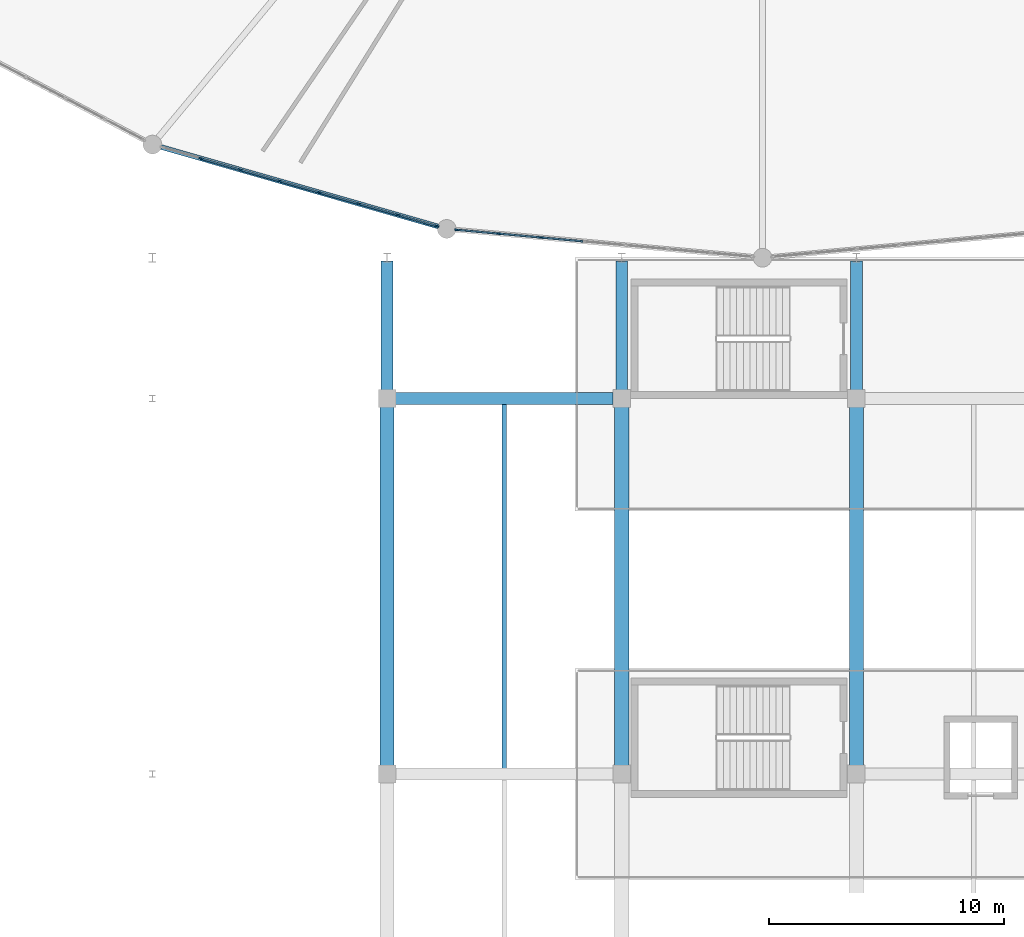
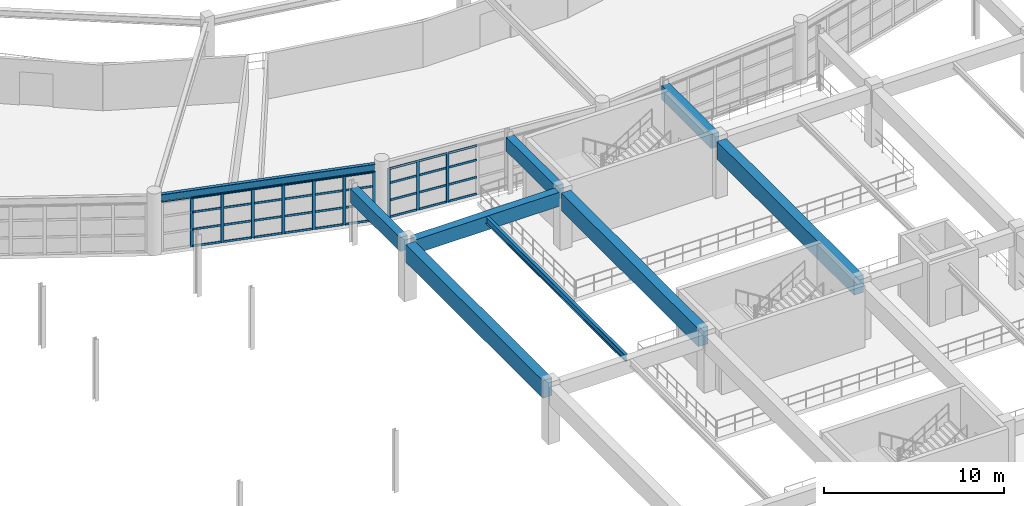
# One storey, part 25 of 100: 46 members, 9 beams, 2 elements without a shape of their own.
"""IFC4 building model written with IfcOpenShell, lengths in metres."""

from ifc_helpers import new_model, si_unit, direction, frame, origin, origin_2d, place, context, subcontext, project, spatial, rectangle, i_section, extrude, material, layer, layer_set, material_profile, profile_set, type_object, element, aggregate, save


model = new_model("IFC4")

# Units and contexts
model_context = context("Model", 3, precision=1e-05, world=origin(), true_north=direction((0.0, 1.0)))
body_context = subcontext(model_context, "Body", "Model", "MODEL_VIEW")
ifc_project = project(units=[si_unit("LENGTHUNIT", "METRE"), si_unit("AREAUNIT", "SQUARE_METRE"), si_unit("VOLUMEUNIT", "CUBIC_METRE"), si_unit("PLANEANGLEUNIT", "RADIAN"), si_unit("MASSUNIT", "GRAM", prefix="KILO")], contexts=[model_context])

# Site, building, storey
site_placement = place(None, origin())
site = spatial("IfcSite", under=ifc_project, at=site_placement, CompositionType="ELEMENT")
building_placement = place(site_placement, origin())
building = spatial("IfcBuilding", under=site, at=building_placement, Name="Kivolera Central Railway Station", CompositionType="ELEMENT")
storey_placement = place(building_placement, frame((0.0, 0.0, 5.39990234375)))
storey = spatial("IfcBuildingStorey", under=building, at=storey_placement, Name="L01", CompositionType="ELEMENT", Elevation=5.39990234375)

# Beams
ifc_material_1 = material(Name="Steel S355", Category="steel")
ifc_material_profile_1 = material_profile(ifc_material_1, i_section(OverallWidth=0.18994140625, OverallDepth=0.449951171875, WebThickness=0.009521484375, FlangeThickness=0.0146484375, FilletRadius=0.02099609375, at=origin_2d()), Name="IPE 450")
ifc_profile_set_1 = profile_set([ifc_material_profile_1], Name="Steel S355")
beam_type_1 = type_object("IfcBeamType", Name="BM-JST-IPE450", PredefinedType="JOIST", material=ifc_profile_set_1)
beam_1_placement = place(storey_placement, frame((53.0, 32.241943359375, 3.64306640625), z_axis=(0.0, 1.0, 0.0), x_axis=(-1.0, 0.0, 0.0)))
element("IfcBeam", 1, at=beam_1_placement, inside=storey, type_object=beam_type_1, Name="L01 Over-Track Bridge Joist 5:C-D", PredefinedType="JOIST", context=body_context, shape_type="SweptSolid", body=[
    extrude(i_section(OverallWidth=0.18994140625, OverallDepth=0.449951171875, WebThickness=0.009521484375, FlangeThickness=0.0146484375, FilletRadius=0.02099609375, at=origin_2d()), origin(), (0.0, 0.0, 1.0), 15.51611328125),
])
ifc_material_2 = material(Name="Concrete C40/50", Category="concrete")
ifc_material_profile_2 = material_profile(ifc_material_2, rectangle(XDim=0.5, YDim=0.949951171875, at=origin_2d()), Name="RC 500x950")
ifc_profile_set_2 = profile_set([ifc_material_profile_2], Name="Concrete C40/50")
beam_type_2 = type_object("IfcBeamType", Name="BM-RC-500x950", PredefinedType="BEAM", material=ifc_profile_set_2)
for number, where, z_axis, x_axis, name in (
    (2, (48.0, 48.362060546875, 3.405029296875), (0.0, 1.0, 0.0), (-1.0, 0.0, 0.0), "Over-Track Concourse Threshold Girder 5:D-E"),
    (3, (58.0, 48.362060546875, 3.405029296875), (0.0, 1.0, 0.0), (-1.0, 0.0, 0.0), "Over-Track Concourse Threshold Girder 6:D-E"),
    (4, (68.0, 48.362060546875, 3.405029296875), (0.0, 1.0, 0.0), (-1.0, 0.0, 0.0), "Over-Track Concourse Threshold Girder 7:D-E"),
):
    element("IfcBeam", number, at=place(storey_placement, frame(where, z_axis=z_axis, x_axis=x_axis)), inside=storey, type_object=beam_type_2, Name=name, PredefinedType="BEAM", context=body_context, shape_type="SweptSolid", body=[
        extrude(rectangle(XDim=0.5, YDim=0.949951171875, at=origin_2d()), origin(), (0.0, 0.0, 1.0), 5.498046875),
    ])
beam_2_placement = place(storey_placement, frame((48.362060546875, 48.0, 3.405029296875), z_axis=(1.0, 0.0, 0.0), x_axis=(0.0, 1.0, 0.0)))
element("IfcBeam", 5, at=beam_2_placement, inside=storey, type_object=beam_type_2, Name="L01 Over-Track Bridge Transverse Girder D:5-6", PredefinedType="BEAM", context=body_context, shape_type="SweptSolid", body=[
    extrude(rectangle(XDim=0.5, YDim=0.949951171875, at=origin_2d()), origin(), (0.0, 0.0, 1.0), 9.27587890625),
])
ifc_material_profile_3 = material_profile(ifc_material_2, rectangle(XDim=0.60009765625, YDim=1.199951171875, at=origin_2d()), Name="RC 600x1200")
ifc_profile_set_3 = profile_set([ifc_material_profile_3], Name="Concrete C40/50")
beam_type_3 = type_object("IfcBeamType", Name="BM-RC-600x1200", PredefinedType="BEAM", material=ifc_profile_set_3)
for number, where, z_axis, x_axis, name in (
    (6, (48.0, 32.362060546875, 3.280029296875), (0.0, 1.0, 0.0), (-1.0, 0.0, 0.0), "L01 Over-Track Concourse Bridge Girder 5:C-D"),
    (7, (58.0, 32.362060546875, 3.280029296875), (0.0, 1.0, 0.0), (-1.0, 0.0, 0.0), "L01 Over-Track Concourse Bridge Girder 6:C-D"),
    (8, (68.0, 32.362060546875, 3.280029296875), (0.0, 1.0, 0.0), (-1.0, 0.0, 0.0), "L01 Over-Track Concourse Bridge Girder 7:C-D"),
):
    element("IfcBeam", number, at=place(storey_placement, frame(where, z_axis=z_axis, x_axis=x_axis)), inside=storey, type_object=beam_type_3, Name=name, PredefinedType="BEAM", context=body_context, shape_type="SweptSolid", body=[
        extrude(rectangle(XDim=0.60009765625, YDim=1.199951171875, at=origin_2d()), origin(), (0.0, 0.0, 1.0), 15.27587890625),
    ])
ifc_material_profile_4 = material_profile(ifc_material_1, i_section(OverallWidth=0.209228515625, OverallDepth=0.533203125, WebThickness=0.010009765625, FlangeThickness=0.015625, FilletRadius=0.0126953125, at=origin_2d()), Name="UB 533x210x92")
ifc_profile_set_4 = profile_set([ifc_material_profile_4], Name="Steel S355")
beam_type_4 = type_object("IfcBeamType", Name="BM-SHD-UB533", PredefinedType="BEAM", material=ifc_profile_set_4)
beam_3_placement = place(storey_placement, frame((38.375, 58.716064453125, 3.611083984375), z_axis=(0.961238780007, -0.275717260631, 0.0), x_axis=(0.275717260631, 0.961238780007, 0.0)))
element("IfcBeam", 9, at=beam_3_placement, inside=storey, type_object=beam_type_4, Name="L01 Oval Perimeter Ring Beam 17", PredefinedType="BEAM", context=body_context, shape_type="SweptSolid", body=[
    extrude(i_section(OverallWidth=0.209228515625, OverallDepth=0.533203125, WebThickness=0.010009765625, FlangeThickness=0.015625, FilletRadius=0.0126953125, at=origin_2d()), origin(), (0.0, 0.0, 1.0), 12.266357421875),
])

# Curtain wall, members
ifc_material_3 = material(Name="Anodised aluminium", Category="aluminium")
ifc_layer_1 = layer(ifc_material_3, 0.179931640625, Name="Anodised aluminium")
ifc_layer_set_1 = layer_set([ifc_layer_1], Name="Anodised aluminium")
curtain_wall_type_1 = type_object("IfcCurtainWallType", Name="CW-SYS-10", PredefinedType="NOTDEFINED", material=ifc_layer_set_1)
curtain_wall_1_placement = place(storey_placement, origin())
curtain_wall_1 = element("IfcCurtainWall", 10, at=curtain_wall_1_placement, inside=storey, type_object=curtain_wall_type_1, Name="L01 Curtain Wall CW-L01-OVL-16", PredefinedType="NOTDEFINED")
ifc_material_profile_5 = material_profile(ifc_material_3, rectangle(XDim=0.070068359375, YDim=0.179931640625, at=origin_2d()), Name="ALU MULL 70x180")
ifc_profile_set_5 = profile_set([ifc_material_profile_5], Name="Anodised aluminium")
member_type_1 = type_object("IfcMemberType", Name="CWM-MUL-1", PredefinedType="MULLION", material=ifc_profile_set_5)
member_1_placement = place(storey_placement, frame((50.122314453125, 55.3466796875, -0.0048828125), z_axis=(0.0, 0.0, 1.0), x_axis=(-0.27569168989, -0.961246114232, 0.0)))
member_1 = element("IfcMember", 11, at=member_1_placement, type_object=member_type_1, Name="CW-10 mullion 1", PredefinedType="MULLION", context=body_context, shape_type="SweptSolid", body=[
    extrude(rectangle(XDim=0.070068359375, YDim=0.179931640625, at=origin_2d()), origin(), (0.0, 0.0, 1.0), 3.344970703125),
])
member_2_placement = place(storey_placement, frame((48.474365234375, 55.8193359375, -0.0048828125), z_axis=(0.0, 0.0, 1.0), x_axis=(-0.27569168989, -0.961246114232, 0.0)))
member_2 = element("IfcMember", 12, at=member_2_placement, type_object=member_type_1, Name="CW-10 mullion 2", PredefinedType="MULLION", context=body_context, shape_type="SweptSolid", body=[
    extrude(rectangle(XDim=0.070068359375, YDim=0.179931640625, at=origin_2d()), origin(), (0.0, 0.0, 1.0), 3.344970703125),
])
member_3_placement = place(storey_placement, frame((46.79296875, 56.301513671875, -0.0048828125), z_axis=(0.0, 0.0, 1.0), x_axis=(-0.27569168989, -0.961246114232, 0.0)))
member_3 = element("IfcMember", 13, at=member_3_placement, type_object=member_type_1, Name="CW-10 mullion 3", PredefinedType="MULLION", context=body_context, shape_type="SweptSolid", body=[
    extrude(rectangle(XDim=0.070068359375, YDim=0.179931640625, at=origin_2d()), origin(), (0.0, 0.0, 1.0), 3.344970703125),
])
member_4_placement = place(storey_placement, frame((45.111328125, 56.783935546875, -0.0048828125), z_axis=(0.0, 0.0, 1.0), x_axis=(-0.27569168989, -0.961246114232, 0.0)))
member_4 = element("IfcMember", 14, at=member_4_placement, type_object=member_type_1, Name="CW-10 mullion 4", PredefinedType="MULLION", context=body_context, shape_type="SweptSolid", body=[
    extrude(rectangle(XDim=0.070068359375, YDim=0.179931640625, at=origin_2d()), origin(), (0.0, 0.0, 1.0), 3.344970703125),
])
member_5_placement = place(storey_placement, frame((43.4296875, 57.26611328125, -0.0048828125), z_axis=(0.0, 0.0, 1.0), x_axis=(-0.27569168989, -0.961246114232, 0.0)))
member_5 = element("IfcMember", 15, at=member_5_placement, type_object=member_type_1, Name="CW-10 mullion 5", PredefinedType="MULLION", context=body_context, shape_type="SweptSolid", body=[
    extrude(rectangle(XDim=0.070068359375, YDim=0.179931640625, at=origin_2d()), origin(), (0.0, 0.0, 1.0), 3.344970703125),
])
member_6_placement = place(storey_placement, frame((41.748046875, 57.74853515625, -0.0048828125), z_axis=(0.0, 0.0, 1.0), x_axis=(-0.27569168989, -0.961246114232, 0.0)))
member_6 = element("IfcMember", 16, at=member_6_placement, type_object=member_type_1, Name="CW-10 mullion 6", PredefinedType="MULLION", context=body_context, shape_type="SweptSolid", body=[
    extrude(rectangle(XDim=0.070068359375, YDim=0.179931640625, at=origin_2d()), origin(), (0.0, 0.0, 1.0), 3.344970703125),
])
member_7_placement = place(storey_placement, frame((40.066650390625, 58.230712890625, -0.0048828125), z_axis=(0.0, 0.0, 1.0), x_axis=(-0.27569168989, -0.961246114232, 0.0)))
member_7 = element("IfcMember", 17, at=member_7_placement, type_object=member_type_1, Name="CW-10 mullion 7", PredefinedType="MULLION", context=body_context, shape_type="SweptSolid", body=[
    extrude(rectangle(XDim=0.070068359375, YDim=0.179931640625, at=origin_2d()), origin(), (0.0, 0.0, 1.0), 3.344970703125),
])

ifc_layer_2 = layer(ifc_material_3, 0.179931640625, Name="Anodised aluminium")
ifc_layer_set_2 = layer_set([ifc_layer_2], Name="Anodised aluminium")
curtain_wall_type_2 = type_object("IfcCurtainWallType", Name="CW-SYS-12", PredefinedType="NOTDEFINED", material=ifc_layer_set_2)
curtain_wall_2_placement = place(storey_placement, origin())
curtain_wall_2 = element("IfcCurtainWall", 18, at=curtain_wall_2_placement, inside=storey, type_object=curtain_wall_type_2, Name="L01 Curtain Wall CW-L01-OVL-17", PredefinedType="NOTDEFINED")
member_8_placement = place(storey_placement, frame((54.556884765625, 54.861083984375, -0.0048828125), z_axis=(0.0, 0.0, 1.0), x_axis=(-0.090833556942, -0.995866087852, 0.0)))
member_8 = element("IfcMember", 19, at=member_8_placement, type_object=member_type_1, Name="CW-12 mullion 6", PredefinedType="MULLION", context=body_context, shape_type="SweptSolid", body=[
    extrude(rectangle(XDim=0.070068359375, YDim=0.179931640625, at=origin_2d()), origin(), (0.0, 0.0, 1.0), 3.344970703125),
])
member_9_placement = place(storey_placement, frame((52.748046875, 55.02587890625, -0.0048828125), z_axis=(0.0, 0.0, 1.0), x_axis=(-0.090833556942, -0.995866087852, 0.0)))
member_9 = element("IfcMember", 20, at=member_9_placement, type_object=member_type_1, Name="CW-12 mullion 7", PredefinedType="MULLION", context=body_context, shape_type="SweptSolid", body=[
    extrude(rectangle(XDim=0.070068359375, YDim=0.179931640625, at=origin_2d()), origin(), (0.0, 0.0, 1.0), 3.344970703125),
])
member_10_placement = place(storey_placement, frame((50.973876953125, 55.187744140625, -0.0048828125), z_axis=(0.0, 0.0, 1.0), x_axis=(-0.090833556942, -0.995866087852, 0.0)))
member_10 = element("IfcMember", 21, at=member_10_placement, type_object=member_type_1, Name="CW-12 mullion 8", PredefinedType="MULLION", context=body_context, shape_type="SweptSolid", body=[
    extrude(rectangle(XDim=0.070068359375, YDim=0.179931640625, at=origin_2d()), origin(), (0.0, 0.0, 1.0), 3.344970703125),
])

# Member
ifc_material_profile_6 = material_profile(ifc_material_3, rectangle(XDim=0.070068359375, YDim=0.139892578125, at=origin_2d()), Name="ALU TRAN 70x140")
ifc_profile_set_6 = profile_set([ifc_material_profile_6], Name="Anodised aluminium")
member_type_2 = type_object("IfcMemberType", Name="CWM-TRN-1", PredefinedType="USERDEFINED", material=ifc_profile_set_6)
member_11_placement = place(storey_placement, frame((50.088623046875, 55.356201171875, 0.03515625), z_axis=(-0.961237680042, 0.275721095434, 0.0), x_axis=(-0.275721095434, -0.961237680042, 0.0)))
member_11 = element("IfcMember", 22, at=member_11_placement, type_object=member_type_2, Name="CW-10 transom 1.1", ObjectType="TRANSOM", PredefinedType="USERDEFINED", context=body_context, shape_type="SweptSolid", body=[
    extrude(rectangle(XDim=0.070068359375, YDim=0.139892578125, at=origin_2d()), origin(), (0.0, 0.0, 1.0), 1.644287109375),
])

member_12_placement = place(storey_placement, frame((50.088623046875, 55.356201171875, 1.169189453125), z_axis=(-0.961237680042, 0.275721095434, 0.0), x_axis=(-0.275721095434, -0.961237680042, 0.0)))
member_12 = element("IfcMember", 23, at=member_12_placement, type_object=member_type_2, Name="CW-10 transom 1.2", ObjectType="TRANSOM", PredefinedType="USERDEFINED", context=body_context, shape_type="SweptSolid", body=[
    extrude(rectangle(XDim=0.070068359375, YDim=0.139892578125, at=origin_2d()), origin(), (0.0, 0.0, 1.0), 1.644287109375),
])

member_13_placement = place(storey_placement, frame((50.088623046875, 55.356201171875, 2.338134765625), z_axis=(-0.961237680042, 0.275721095434, 0.0), x_axis=(-0.275721095434, -0.961237680042, 0.0)))
member_13 = element("IfcMember", 24, at=member_13_placement, type_object=member_type_2, Name="CW-10 transom 1.3", ObjectType="TRANSOM", PredefinedType="USERDEFINED", context=body_context, shape_type="SweptSolid", body=[
    extrude(rectangle(XDim=0.070068359375, YDim=0.139892578125, at=origin_2d()), origin(), (0.0, 0.0, 1.0), 1.644287109375),
])

member_14_placement = place(storey_placement, frame((50.088623046875, 55.356201171875, 3.30517578125), z_axis=(-0.961237680042, 0.275721095434, 0.0), x_axis=(-0.275721095434, -0.961237680042, 0.0)))
member_14 = element("IfcMember", 25, at=member_14_placement, type_object=member_type_2, Name="CW-10 transom 1.4", ObjectType="TRANSOM", PredefinedType="USERDEFINED", context=body_context, shape_type="SweptSolid", body=[
    extrude(rectangle(XDim=0.070068359375, YDim=0.139892578125, at=origin_2d()), origin(), (0.0, 0.0, 1.0), 1.644287109375),
])

member_15_placement = place(storey_placement, frame((48.440673828125, 55.828857421875, 0.03515625), z_axis=(-0.961221645359, 0.275776990509, 0.0), x_axis=(-0.275776990509, -0.961221645359, 0.0)))
member_15 = element("IfcMember", 26, at=member_15_placement, type_object=member_type_2, Name="CW-10 transom 2.1", ObjectType="TRANSOM", PredefinedType="USERDEFINED", context=body_context, shape_type="SweptSolid", body=[
    extrude(rectangle(XDim=0.070068359375, YDim=0.139892578125, at=origin_2d()), origin(), (0.0, 0.0, 1.0), 1.679443359375),
])

member_16_placement = place(storey_placement, frame((48.440673828125, 55.828857421875, 1.169189453125), z_axis=(-0.961221645359, 0.275776990509, 0.0), x_axis=(-0.275776990509, -0.961221645359, 0.0)))
member_16 = element("IfcMember", 27, at=member_16_placement, type_object=member_type_2, Name="CW-10 transom 2.2", ObjectType="TRANSOM", PredefinedType="USERDEFINED", context=body_context, shape_type="SweptSolid", body=[
    extrude(rectangle(XDim=0.070068359375, YDim=0.139892578125, at=origin_2d()), origin(), (0.0, 0.0, 1.0), 1.679443359375),
])

member_17_placement = place(storey_placement, frame((48.440673828125, 55.828857421875, 2.338134765625), z_axis=(-0.961221645359, 0.275776990509, 0.0), x_axis=(-0.275776990509, -0.961221645359, 0.0)))
member_17 = element("IfcMember", 28, at=member_17_placement, type_object=member_type_2, Name="CW-10 transom 2.3", ObjectType="TRANSOM", PredefinedType="USERDEFINED", context=body_context, shape_type="SweptSolid", body=[
    extrude(rectangle(XDim=0.070068359375, YDim=0.139892578125, at=origin_2d()), origin(), (0.0, 0.0, 1.0), 1.679443359375),
])

member_18_placement = place(storey_placement, frame((48.440673828125, 55.828857421875, 3.30517578125), z_axis=(-0.961221645359, 0.275776990509, 0.0), x_axis=(-0.275776990509, -0.961221645359, 0.0)))
member_18 = element("IfcMember", 29, at=member_18_placement, type_object=member_type_2, Name="CW-10 transom 2.4", ObjectType="TRANSOM", PredefinedType="USERDEFINED", context=body_context, shape_type="SweptSolid", body=[
    extrude(rectangle(XDim=0.070068359375, YDim=0.139892578125, at=origin_2d()), origin(), (0.0, 0.0, 1.0), 1.679443359375),
])

member_19_placement = place(storey_placement, frame((46.75927734375, 56.311279296875, 0.03515625), z_axis=(-0.961260174018, 0.27564266333, 0.0), x_axis=(-0.27564266333, -0.961260174018, 0.0)))
member_19 = element("IfcMember", 30, at=member_19_placement, type_object=member_type_2, Name="CW-10 transom 3.1", ObjectType="TRANSOM", PredefinedType="USERDEFINED", context=body_context, shape_type="SweptSolid", body=[
    extrude(rectangle(XDim=0.070068359375, YDim=0.139892578125, at=origin_2d()), origin(), (0.0, 0.0, 1.0), 1.67919921875),
])

member_20_placement = place(storey_placement, frame((46.75927734375, 56.311279296875, 1.169189453125), z_axis=(-0.961260174018, 0.27564266333, 0.0), x_axis=(-0.27564266333, -0.961260174018, 0.0)))
member_20 = element("IfcMember", 31, at=member_20_placement, type_object=member_type_2, Name="CW-10 transom 3.2", ObjectType="TRANSOM", PredefinedType="USERDEFINED", context=body_context, shape_type="SweptSolid", body=[
    extrude(rectangle(XDim=0.070068359375, YDim=0.139892578125, at=origin_2d()), origin(), (0.0, 0.0, 1.0), 1.67919921875),
])

member_21_placement = place(storey_placement, frame((46.75927734375, 56.311279296875, 2.338134765625), z_axis=(-0.961260174018, 0.27564266333, 0.0), x_axis=(-0.27564266333, -0.961260174018, 0.0)))
member_21 = element("IfcMember", 32, at=member_21_placement, type_object=member_type_2, Name="CW-10 transom 3.3", ObjectType="TRANSOM", PredefinedType="USERDEFINED", context=body_context, shape_type="SweptSolid", body=[
    extrude(rectangle(XDim=0.070068359375, YDim=0.139892578125, at=origin_2d()), origin(), (0.0, 0.0, 1.0), 1.67919921875),
])

member_22_placement = place(storey_placement, frame((46.75927734375, 56.311279296875, 3.30517578125), z_axis=(-0.961260174018, 0.27564266333, 0.0), x_axis=(-0.27564266333, -0.961260174018, 0.0)))
member_22 = element("IfcMember", 33, at=member_22_placement, type_object=member_type_2, Name="CW-10 transom 3.4", ObjectType="TRANSOM", PredefinedType="USERDEFINED", context=body_context, shape_type="SweptSolid", body=[
    extrude(rectangle(XDim=0.070068359375, YDim=0.139892578125, at=origin_2d()), origin(), (0.0, 0.0, 1.0), 1.67919921875),
])

member_23_placement = place(storey_placement, frame((45.07763671875, 56.79345703125, 0.03515625), z_axis=(-0.961221645359, 0.275776990509, 0.0), x_axis=(-0.275776990509, -0.961221645359, 0.0)))
member_23 = element("IfcMember", 34, at=member_23_placement, type_object=member_type_2, Name="CW-10 transom 4.1", ObjectType="TRANSOM", PredefinedType="USERDEFINED", context=body_context, shape_type="SweptSolid", body=[
    extrude(rectangle(XDim=0.070068359375, YDim=0.139892578125, at=origin_2d()), origin(), (0.0, 0.0, 1.0), 1.679443359375),
])

member_24_placement = place(storey_placement, frame((45.07763671875, 56.79345703125, 1.169189453125), z_axis=(-0.961221645359, 0.275776990509, 0.0), x_axis=(-0.275776990509, -0.961221645359, 0.0)))
member_24 = element("IfcMember", 35, at=member_24_placement, type_object=member_type_2, Name="CW-10 transom 4.2", ObjectType="TRANSOM", PredefinedType="USERDEFINED", context=body_context, shape_type="SweptSolid", body=[
    extrude(rectangle(XDim=0.070068359375, YDim=0.139892578125, at=origin_2d()), origin(), (0.0, 0.0, 1.0), 1.679443359375),
])

member_25_placement = place(storey_placement, frame((45.07763671875, 56.79345703125, 2.338134765625), z_axis=(-0.961221645359, 0.275776990509, 0.0), x_axis=(-0.275776990509, -0.961221645359, 0.0)))
member_25 = element("IfcMember", 36, at=member_25_placement, type_object=member_type_2, Name="CW-10 transom 4.3", ObjectType="TRANSOM", PredefinedType="USERDEFINED", context=body_context, shape_type="SweptSolid", body=[
    extrude(rectangle(XDim=0.070068359375, YDim=0.139892578125, at=origin_2d()), origin(), (0.0, 0.0, 1.0), 1.679443359375),
])

member_26_placement = place(storey_placement, frame((45.07763671875, 56.79345703125, 3.30517578125), z_axis=(-0.961221645359, 0.275776990509, 0.0), x_axis=(-0.275776990509, -0.961221645359, 0.0)))
member_26 = element("IfcMember", 37, at=member_26_placement, type_object=member_type_2, Name="CW-10 transom 4.4", ObjectType="TRANSOM", PredefinedType="USERDEFINED", context=body_context, shape_type="SweptSolid", body=[
    extrude(rectangle(XDim=0.070068359375, YDim=0.139892578125, at=origin_2d()), origin(), (0.0, 0.0, 1.0), 1.679443359375),
])

member_27_placement = place(storey_placement, frame((43.39599609375, 57.27587890625, 0.03515625), z_axis=(-0.961260174018, 0.27564266333, 0.0), x_axis=(-0.27564266333, -0.961260174018, 0.0)))
member_27 = element("IfcMember", 38, at=member_27_placement, type_object=member_type_2, Name="CW-10 transom 5.1", ObjectType="TRANSOM", PredefinedType="USERDEFINED", context=body_context, shape_type="SweptSolid", body=[
    extrude(rectangle(XDim=0.070068359375, YDim=0.139892578125, at=origin_2d()), origin(), (0.0, 0.0, 1.0), 1.67919921875),
])

member_28_placement = place(storey_placement, frame((43.39599609375, 57.27587890625, 1.169189453125), z_axis=(-0.961260174018, 0.27564266333, 0.0), x_axis=(-0.27564266333, -0.961260174018, 0.0)))
member_28 = element("IfcMember", 39, at=member_28_placement, type_object=member_type_2, Name="CW-10 transom 5.2", ObjectType="TRANSOM", PredefinedType="USERDEFINED", context=body_context, shape_type="SweptSolid", body=[
    extrude(rectangle(XDim=0.070068359375, YDim=0.139892578125, at=origin_2d()), origin(), (0.0, 0.0, 1.0), 1.67919921875),
])

member_29_placement = place(storey_placement, frame((43.39599609375, 57.27587890625, 2.338134765625), z_axis=(-0.961260174018, 0.27564266333, 0.0), x_axis=(-0.27564266333, -0.961260174018, 0.0)))
member_29 = element("IfcMember", 40, at=member_29_placement, type_object=member_type_2, Name="CW-10 transom 5.3", ObjectType="TRANSOM", PredefinedType="USERDEFINED", context=body_context, shape_type="SweptSolid", body=[
    extrude(rectangle(XDim=0.070068359375, YDim=0.139892578125, at=origin_2d()), origin(), (0.0, 0.0, 1.0), 1.67919921875),
])

member_30_placement = place(storey_placement, frame((43.39599609375, 57.27587890625, 3.30517578125), z_axis=(-0.961260174018, 0.27564266333, 0.0), x_axis=(-0.27564266333, -0.961260174018, 0.0)))
member_30 = element("IfcMember", 41, at=member_30_placement, type_object=member_type_2, Name="CW-10 transom 5.4", ObjectType="TRANSOM", PredefinedType="USERDEFINED", context=body_context, shape_type="SweptSolid", body=[
    extrude(rectangle(XDim=0.070068359375, YDim=0.139892578125, at=origin_2d()), origin(), (0.0, 0.0, 1.0), 1.67919921875),
])

member_31_placement = place(storey_placement, frame((41.714599609375, 57.758056640625, 0.03515625), z_axis=(-0.961271217599, 0.275604147674, 0.0), x_axis=(-0.275604147674, -0.961271217599, 0.0)))
member_31 = element("IfcMember", 42, at=member_31_placement, type_object=member_type_2, Name="CW-10 transom 6.1", ObjectType="TRANSOM", PredefinedType="USERDEFINED", context=body_context, shape_type="SweptSolid", body=[
    extrude(rectangle(XDim=0.070068359375, YDim=0.139892578125, at=origin_2d()), origin(), (0.0, 0.0, 1.0), 1.679443359375),
])

member_32_placement = place(storey_placement, frame((41.714599609375, 57.758056640625, 1.169189453125), z_axis=(-0.961271217599, 0.275604147674, 0.0), x_axis=(-0.275604147674, -0.961271217599, 0.0)))
member_32 = element("IfcMember", 43, at=member_32_placement, type_object=member_type_2, Name="CW-10 transom 6.2", ObjectType="TRANSOM", PredefinedType="USERDEFINED", context=body_context, shape_type="SweptSolid", body=[
    extrude(rectangle(XDim=0.070068359375, YDim=0.139892578125, at=origin_2d()), origin(), (0.0, 0.0, 1.0), 1.679443359375),
])

member_33_placement = place(storey_placement, frame((41.714599609375, 57.758056640625, 2.338134765625), z_axis=(-0.961271217599, 0.275604147674, 0.0), x_axis=(-0.275604147674, -0.961271217599, 0.0)))
member_33 = element("IfcMember", 44, at=member_33_placement, type_object=member_type_2, Name="CW-10 transom 6.3", ObjectType="TRANSOM", PredefinedType="USERDEFINED", context=body_context, shape_type="SweptSolid", body=[
    extrude(rectangle(XDim=0.070068359375, YDim=0.139892578125, at=origin_2d()), origin(), (0.0, 0.0, 1.0), 1.679443359375),
])

member_34_placement = place(storey_placement, frame((41.714599609375, 57.758056640625, 3.30517578125), z_axis=(-0.961271217599, 0.275604147674, 0.0), x_axis=(-0.275604147674, -0.961271217599, 0.0)))
member_34 = element("IfcMember", 45, at=member_34_placement, type_object=member_type_2, Name="CW-10 transom 6.4", ObjectType="TRANSOM", PredefinedType="USERDEFINED", context=body_context, shape_type="SweptSolid", body=[
    extrude(rectangle(XDim=0.070068359375, YDim=0.139892578125, at=origin_2d()), origin(), (0.0, 0.0, 1.0), 1.679443359375),
])

aggregate(curtain_wall_1, [member_1, member_2, member_3, member_4, member_5, member_6, member_7, member_11, member_12, member_13, member_14, member_15, member_16, member_17, member_18, member_19, member_20, member_21, member_22, member_23, member_24, member_25, member_26, member_27, member_28, member_29, member_30, member_31, member_32, member_33, member_34])

member_35_placement = place(storey_placement, frame((56.3310546875, 54.69921875, 0.03515625), z_axis=(-0.995863361258, 0.09086344537, 0.0), x_axis=(-0.09086344537, -0.995863361258, 0.0)))
member_35 = element("IfcMember", 46, at=member_35_placement, type_object=member_type_2, Name="CW-12 transom 5.1", ObjectType="TRANSOM", PredefinedType="USERDEFINED", context=body_context, shape_type="SweptSolid", body=[
    extrude(rectangle(XDim=0.070068359375, YDim=0.139892578125, at=origin_2d()), origin(), (0.0, 0.0, 1.0), 1.74658203125),
])

member_36_placement = place(storey_placement, frame((56.3310546875, 54.69921875, 1.169189453125), z_axis=(-0.995863361258, 0.09086344537, 0.0), x_axis=(-0.09086344537, -0.995863361258, 0.0)))
member_36 = element("IfcMember", 47, at=member_36_placement, type_object=member_type_2, Name="CW-12 transom 5.2", ObjectType="TRANSOM", PredefinedType="USERDEFINED", context=body_context, shape_type="SweptSolid", body=[
    extrude(rectangle(XDim=0.070068359375, YDim=0.139892578125, at=origin_2d()), origin(), (0.0, 0.0, 1.0), 1.74658203125),
])

member_37_placement = place(storey_placement, frame((56.3310546875, 54.69921875, 2.338134765625), z_axis=(-0.995863361258, 0.09086344537, 0.0), x_axis=(-0.09086344537, -0.995863361258, 0.0)))
member_37 = element("IfcMember", 48, at=member_37_placement, type_object=member_type_2, Name="CW-12 transom 5.3", ObjectType="TRANSOM", PredefinedType="USERDEFINED", context=body_context, shape_type="SweptSolid", body=[
    extrude(rectangle(XDim=0.070068359375, YDim=0.139892578125, at=origin_2d()), origin(), (0.0, 0.0, 1.0), 1.74658203125),
])

member_38_placement = place(storey_placement, frame((56.3310546875, 54.69921875, 3.30517578125), z_axis=(-0.995863361258, 0.09086344537, 0.0), x_axis=(-0.09086344537, -0.995863361258, 0.0)))
member_38 = element("IfcMember", 49, at=member_38_placement, type_object=member_type_2, Name="CW-12 transom 5.4", ObjectType="TRANSOM", PredefinedType="USERDEFINED", context=body_context, shape_type="SweptSolid", body=[
    extrude(rectangle(XDim=0.070068359375, YDim=0.139892578125, at=origin_2d()), origin(), (0.0, 0.0, 1.0), 1.74658203125),
])

member_39_placement = place(storey_placement, frame((54.522216796875, 54.8642578125, 0.03515625), z_axis=(-0.995876001019, 0.090724806943, 0.0), x_axis=(-0.090724806943, -0.995876001019, 0.0)))
member_39 = element("IfcMember", 50, at=member_39_placement, type_object=member_type_2, Name="CW-12 transom 6.1", ObjectType="TRANSOM", PredefinedType="USERDEFINED", context=body_context, shape_type="SweptSolid", body=[
    extrude(rectangle(XDim=0.070068359375, YDim=0.139892578125, at=origin_2d()), origin(), (0.0, 0.0, 1.0), 1.74658203125),
])

member_40_placement = place(storey_placement, frame((54.522216796875, 54.8642578125, 1.169189453125), z_axis=(-0.995876001019, 0.090724806943, 0.0), x_axis=(-0.090724806943, -0.995876001019, 0.0)))
member_40 = element("IfcMember", 51, at=member_40_placement, type_object=member_type_2, Name="CW-12 transom 6.2", ObjectType="TRANSOM", PredefinedType="USERDEFINED", context=body_context, shape_type="SweptSolid", body=[
    extrude(rectangle(XDim=0.070068359375, YDim=0.139892578125, at=origin_2d()), origin(), (0.0, 0.0, 1.0), 1.74658203125),
])

member_41_placement = place(storey_placement, frame((54.522216796875, 54.8642578125, 2.338134765625), z_axis=(-0.995876001019, 0.090724806943, 0.0), x_axis=(-0.090724806943, -0.995876001019, 0.0)))
member_41 = element("IfcMember", 52, at=member_41_placement, type_object=member_type_2, Name="CW-12 transom 6.3", ObjectType="TRANSOM", PredefinedType="USERDEFINED", context=body_context, shape_type="SweptSolid", body=[
    extrude(rectangle(XDim=0.070068359375, YDim=0.139892578125, at=origin_2d()), origin(), (0.0, 0.0, 1.0), 1.74658203125),
])

member_42_placement = place(storey_placement, frame((54.522216796875, 54.8642578125, 3.30517578125), z_axis=(-0.995876001019, 0.090724806943, 0.0), x_axis=(-0.090724806943, -0.995876001019, 0.0)))
member_42 = element("IfcMember", 53, at=member_42_placement, type_object=member_type_2, Name="CW-12 transom 6.4", ObjectType="TRANSOM", PredefinedType="USERDEFINED", context=body_context, shape_type="SweptSolid", body=[
    extrude(rectangle(XDim=0.070068359375, YDim=0.139892578125, at=origin_2d()), origin(), (0.0, 0.0, 1.0), 1.74658203125),
])

member_43_placement = place(storey_placement, frame((52.713134765625, 55.029296875, 0.03515625), z_axis=(-0.995875648211, 0.090728679596, 0.0), x_axis=(-0.090728679596, -0.995875648211, 0.0)))
member_43 = element("IfcMember", 54, at=member_43_placement, type_object=member_type_2, Name="CW-12 transom 7.1", ObjectType="TRANSOM", PredefinedType="USERDEFINED", context=body_context, shape_type="SweptSolid", body=[
    extrude(rectangle(XDim=0.070068359375, YDim=0.139892578125, at=origin_2d()), origin(), (0.0, 0.0, 1.0), 1.71142578125),
])

member_44_placement = place(storey_placement, frame((52.713134765625, 55.029296875, 1.169189453125), z_axis=(-0.995875648211, 0.090728679596, 0.0), x_axis=(-0.090728679596, -0.995875648211, 0.0)))
member_44 = element("IfcMember", 55, at=member_44_placement, type_object=member_type_2, Name="CW-12 transom 7.2", ObjectType="TRANSOM", PredefinedType="USERDEFINED", context=body_context, shape_type="SweptSolid", body=[
    extrude(rectangle(XDim=0.070068359375, YDim=0.139892578125, at=origin_2d()), origin(), (0.0, 0.0, 1.0), 1.71142578125),
])

member_45_placement = place(storey_placement, frame((52.713134765625, 55.029296875, 2.338134765625), z_axis=(-0.995875648211, 0.090728679596, 0.0), x_axis=(-0.090728679596, -0.995875648211, 0.0)))
member_45 = element("IfcMember", 56, at=member_45_placement, type_object=member_type_2, Name="CW-12 transom 7.3", ObjectType="TRANSOM", PredefinedType="USERDEFINED", context=body_context, shape_type="SweptSolid", body=[
    extrude(rectangle(XDim=0.070068359375, YDim=0.139892578125, at=origin_2d()), origin(), (0.0, 0.0, 1.0), 1.71142578125),
])

member_46_placement = place(storey_placement, frame((52.713134765625, 55.029296875, 3.30517578125), z_axis=(-0.995875648211, 0.090728679596, 0.0), x_axis=(-0.090728679596, -0.995875648211, 0.0)))
member_46 = element("IfcMember", 57, at=member_46_placement, type_object=member_type_2, Name="CW-12 transom 7.4", ObjectType="TRANSOM", PredefinedType="USERDEFINED", context=body_context, shape_type="SweptSolid", body=[
    extrude(rectangle(XDim=0.070068359375, YDim=0.139892578125, at=origin_2d()), origin(), (0.0, 0.0, 1.0), 1.71142578125),
])

aggregate(curtain_wall_2, [member_8, member_9, member_10, member_35, member_36, member_37, member_38, member_39, member_40, member_41, member_42, member_43, member_44, member_45, member_46])

save(model, "model.ifc")
